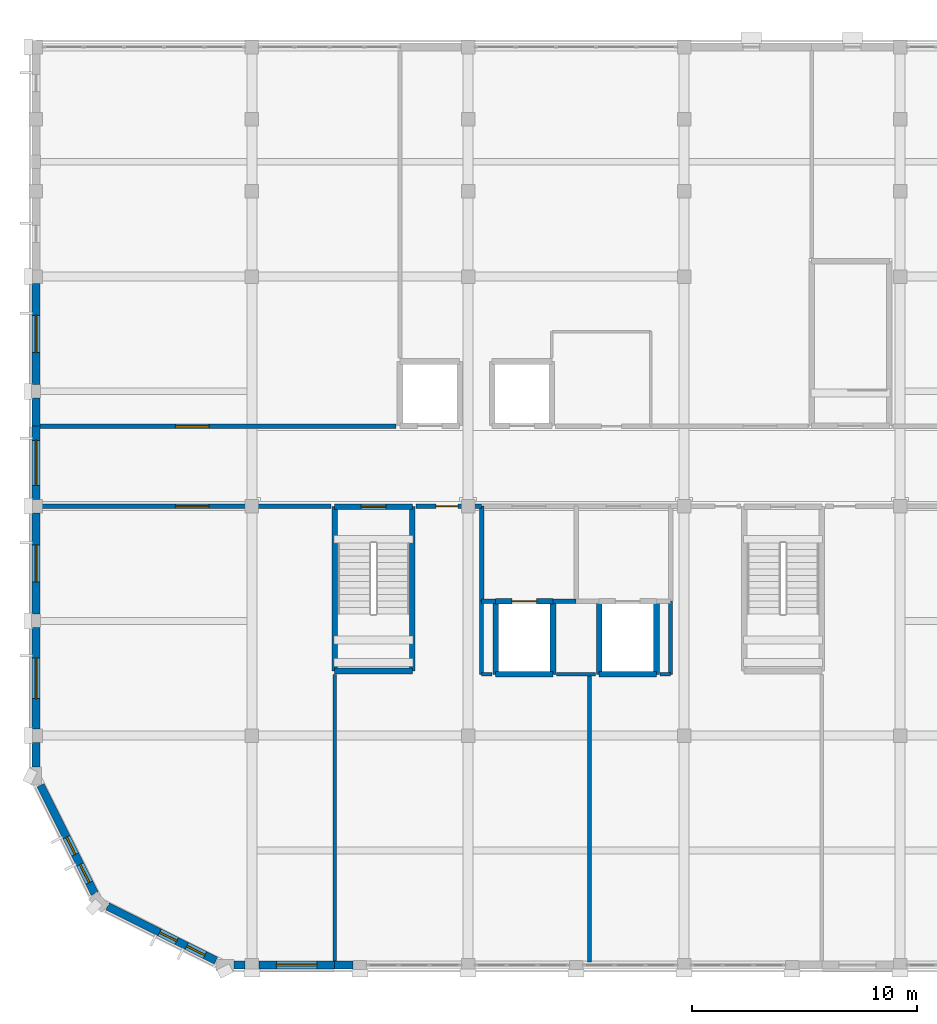
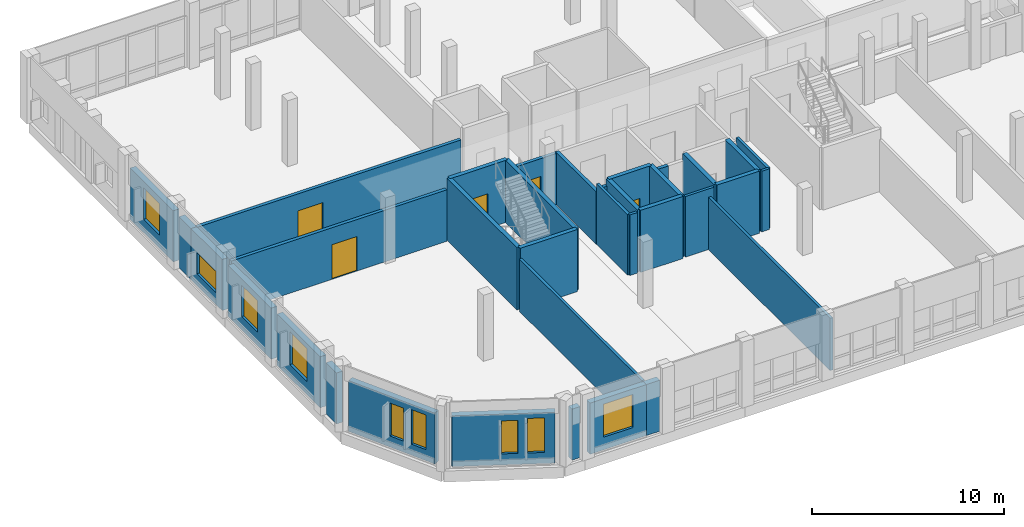
# One storey, part 79 of 93: 35 walls, 9 windows, 5 doors, 14 openings.
"""IFC4 building model written with IfcOpenShell, lengths in metres."""

from ifc_helpers import new_model, si_unit, direction, frame, frame_2d, origin, place, context, subcontext, project, spatial, rectangle, extrude, material, layer, layer_set, type_object, element, fill, save


model = new_model("IFC4")

# Units and contexts
model_context = context("Model", 3, precision=1e-05, world=origin(), true_north=direction((0.0, 1.0)))
body_context = subcontext(model_context, "Body", "Model", "MODEL_VIEW")
ifc_project = project(units=[si_unit("LENGTHUNIT", "METRE"), si_unit("AREAUNIT", "SQUARE_METRE"), si_unit("VOLUMEUNIT", "CUBIC_METRE"), si_unit("PLANEANGLEUNIT", "RADIAN"), si_unit("MASSUNIT", "GRAM", prefix="KILO")], contexts=[model_context])

# Site, building, storey
site_placement = place(None, origin())
site = spatial("IfcSite", under=ifc_project, at=site_placement, CompositionType="ELEMENT")
building_placement = place(site_placement, origin())
building = spatial("IfcBuilding", under=site, at=building_placement, Name="Vondelvale Polytechnic", CompositionType="ELEMENT")
storey_placement = place(building_placement, frame((0.0, 0.0, 18.0)))
storey = spatial("IfcBuildingStorey", under=building, at=storey_placement, Name="L04", CompositionType="ELEMENT", Elevation=18.0)

# Wall, openings, windows
ifc_material_1 = material(Name="Amsterdam School iron-spot clinker clay brickwork", Category="masonry")
ifc_layer_1 = layer(ifc_material_1, 0.35009765625)
ifc_layer_set_1 = layer_set([ifc_layer_1], Name="WL-BRICK-350")
wall_type_1 = type_object("IfcWallType", Name="WL-BRICK-350", PredefinedType="SOLIDWALL", material=ifc_layer_set_1)
wall_1_placement = place(storey_placement, frame((7.9990234375, 0.200439453125, 0.0), z_axis=(0.0, 0.0, 1.0), x_axis=(-0.894418132042, 0.447231712958, 0.0)))
wall_1 = element("IfcWall", 1, at=wall_1_placement, inside=storey, type_object=wall_type_1, Name="L04 exterior masonry facade wall", PredefinedType="SOLIDWALL", context=body_context, shape_type="SweptSolid", body=[
    extrude(rectangle(XDim=5.39013671875, YDim=0.35009765625, at=frame_2d((2.695068359375, 0.0))), origin(), (0.0, 0.0, 1.0), 3.22998046875),
])
opening_1_placement = place(wall_1_placement, frame((0.550048828125, 0.0, 0.699951171875)))
opening_1 = element("IfcOpeningElement", 2, at=opening_1_placement, cuts=wall_1, Name="Opening WN-0231", PredefinedType="OPENING", context=body_context, shape_type="SweptSolid", body=[
    extrude(rectangle(XDim=0.89990234375, YDim=2.199951171875, at=frame_2d((0.449951171875, 1.10009765625))), frame((0.0, 0.18505859375, 0.0), z_axis=(0.0, -1.0, 0.0), x_axis=(1.0, 0.0, 0.0)), (0.0, 0.0, 1.0), 0.3701171875),
])
opening_2_placement = place(wall_1_placement, frame((1.949951171875, 0.0, 0.699951171875)))
opening_2 = element("IfcOpeningElement", 3, at=opening_2_placement, cuts=wall_1, Name="Opening WN-0232", PredefinedType="OPENING", context=body_context, shape_type="SweptSolid", body=[
    extrude(rectangle(XDim=0.85009765625, YDim=2.10009765625, at=frame_2d((0.425048828125, 1.050048828125))), frame((0.0, 0.18505859375, 0.0), z_axis=(0.0, -1.0, 0.0), x_axis=(1.0, 0.0, 0.0)), (0.0, 0.0, 1.0), 0.3701171875),
])
ifc_material_2 = material(Name="Double-glazed low-E insulated architectural glass", Category="glass")
window_type_1 = type_object("IfcWindowType", Name="WN-TUR-0850x2100", PartitioningType="SINGLE_PANEL", PredefinedType="WINDOW", material=ifc_material_2)
window_1_placement = place(opening_2_placement, origin())
window_1 = element("IfcWindow", 4, at=window_1_placement, inside=storey, type_object=window_type_1, Name="L04 double-glazed architectural window WN-0232", OverallHeight=2.10009765625, OverallWidth=0.85009765625, PartitioningType="SINGLE_PANEL", PredefinedType="WINDOW", context=body_context, shape_type="SweptSolid", body=[
    extrude(rectangle(XDim=0.85009765625, YDim=2.10009765625, at=frame_2d((0.425048828125, 1.050048828125))), frame((0.0, 0.030029296875, 0.0), z_axis=(0.0, -1.0, 0.0), x_axis=(1.0, 0.0, 0.0)), (0.0, 0.0, 1.0), 0.06005859375),
])
fill(opening_2, window_1)
window_type_2 = type_object("IfcWindowType", Name="WN-TUR-0900x2200", PartitioningType="SINGLE_PANEL", PredefinedType="WINDOW", material=ifc_material_2)
window_2_placement = place(opening_1_placement, origin())
window_2 = element("IfcWindow", 5, at=window_2_placement, inside=storey, type_object=window_type_2, Name="L04 double-glazed architectural window WN-0231", OverallHeight=2.199951171875, OverallWidth=0.89990234375, PartitioningType="SINGLE_PANEL", PredefinedType="WINDOW", context=body_context, shape_type="SweptSolid", body=[
    extrude(rectangle(XDim=0.89990234375, YDim=2.199951171875, at=frame_2d((0.449951171875, 1.10009765625))), frame((0.0, 0.030029296875, 0.0), z_axis=(0.0, -1.0, 0.0), x_axis=(1.0, 0.0, 0.0)), (0.0, 0.0, 1.0), 0.06005859375),
])
fill(opening_1, window_2)

wall_2_placement = place(storey_placement, frame((2.611083984375, 3.177978515625, 0.0), z_axis=(0.0, 0.0, 1.0), x_axis=(-0.447231712958, 0.894418132042, 0.0)))
wall_2 = element("IfcWall", 6, at=wall_2_placement, inside=storey, type_object=wall_type_1, Name="L04 exterior masonry facade wall", PredefinedType="SOLIDWALL", context=body_context, shape_type="SweptSolid", body=[
    extrude(rectangle(XDim=5.39013671875, YDim=0.35009765625, at=frame_2d((2.695068359375, 0.0))), origin(), (0.0, 0.0, 1.0), 3.22998046875),
])
opening_3_placement = place(wall_2_placement, frame((0.550048828125, 0.0, 0.699951171875)))
opening_3 = element("IfcOpeningElement", 7, at=opening_3_placement, cuts=wall_2, Name="Opening WN-0233", PredefinedType="OPENING", context=body_context, shape_type="SweptSolid", body=[
    extrude(rectangle(XDim=0.89990234375, YDim=2.199951171875, at=frame_2d((0.449951171875, 1.10009765625))), frame((0.0, 0.18505859375, 0.0), z_axis=(0.0, -1.0, 0.0), x_axis=(1.0, 0.0, 0.0)), (0.0, 0.0, 1.0), 0.3701171875),
])
opening_4_placement = place(wall_2_placement, frame((1.949951171875, 0.0, 0.699951171875)))
opening_4 = element("IfcOpeningElement", 8, at=opening_4_placement, cuts=wall_2, Name="Opening WN-0234", PredefinedType="OPENING", context=body_context, shape_type="SweptSolid", body=[
    extrude(rectangle(XDim=0.85009765625, YDim=2.10009765625, at=frame_2d((0.425048828125, 1.050048828125))), frame((0.0, 0.18505859375, 0.0), z_axis=(0.0, -1.0, 0.0), x_axis=(1.0, 0.0, 0.0)), (0.0, 0.0, 1.0), 0.3701171875),
])
window_3_placement = place(opening_4_placement, origin())
window_3 = element("IfcWindow", 9, at=window_3_placement, inside=storey, type_object=window_type_1, Name="L04 double-glazed architectural window WN-0234", OverallHeight=2.10009765625, OverallWidth=0.85009765625, PartitioningType="SINGLE_PANEL", PredefinedType="WINDOW", context=body_context, shape_type="SweptSolid", body=[
    extrude(rectangle(XDim=0.85009765625, YDim=2.10009765625, at=frame_2d((0.425048828125, 1.050048828125))), frame((0.0, 0.030029296875, 0.0), z_axis=(0.0, -1.0, 0.0), x_axis=(1.0, 0.0, 0.0)), (0.0, 0.0, 1.0), 0.06005859375),
])
fill(opening_4, window_3)
window_4_placement = place(opening_3_placement, origin())
window_4 = element("IfcWindow", 10, at=window_4_placement, inside=storey, type_object=window_type_2, Name="L04 double-glazed architectural window WN-0233", OverallHeight=2.199951171875, OverallWidth=0.89990234375, PartitioningType="SINGLE_PANEL", PredefinedType="WINDOW", context=body_context, shape_type="SweptSolid", body=[
    extrude(rectangle(XDim=0.89990234375, YDim=2.199951171875, at=frame_2d((0.449951171875, 1.10009765625))), frame((0.0, 0.030029296875, 0.0), z_axis=(0.0, -1.0, 0.0), x_axis=(1.0, 0.0, 0.0)), (0.0, 0.0, 1.0), 0.06005859375),
])
fill(opening_3, window_4)

# Wall
wall_3_placement = place(storey_placement, frame((9.299072265625, 0.0, 0.0), z_axis=(0.0, 0.0, 1.0), x_axis=(-1.0, 0.0, 0.0)))
element("IfcWall", 11, at=wall_3_placement, inside=storey, type_object=wall_type_1, Name="L04 exterior masonry facade wall", PredefinedType="SOLIDWALL", context=body_context, shape_type="SweptSolid", body=[
    extrude(rectangle(XDim=0.498046875, YDim=0.35009765625, at=frame_2d((0.2490234375, 0.0))), origin(), (0.0, 0.0, 1.0), 3.25),
])

# Wall, opening, window
wall_4_placement = place(storey_placement, frame((13.27490234375, 0.0, 0.0), z_axis=(0.0, 0.0, 1.0), x_axis=(-1.0, 0.0, 0.0)))
wall_4 = element("IfcWall", 12, at=wall_4_placement, inside=storey, type_object=wall_type_1, Name="L04 exterior masonry facade wall", PredefinedType="SOLIDWALL", context=body_context, shape_type="SweptSolid", body=[
    extrude(rectangle(XDim=3.3740234375, YDim=0.35009765625, at=frame_2d((1.68701171875, 0.0))), origin(), (0.0, 0.0, 1.0), 3.25),
])
opening_5_placement = place(wall_4_placement, frame((0.787109375, 0.0, 0.800048828125)))
opening_5 = element("IfcOpeningElement", 13, at=opening_5_placement, cuts=wall_4, Name="Opening WN-0235", PredefinedType="OPENING", context=body_context, shape_type="SweptSolid", body=[
    extrude(rectangle(XDim=1.800048828125, YDim=2.10009765625, at=frame_2d((0.89990234375, 1.050048828125))), frame((0.0, 0.18505859375, 0.0), z_axis=(0.0, -1.0, 0.0), x_axis=(1.0, 0.0, 0.0)), (0.0, 0.0, 1.0), 0.3701171875),
])
window_type_3 = type_object("IfcWindowType", Name="WN-LAB-1800x2100", PartitioningType="SINGLE_PANEL", PredefinedType="WINDOW", material=ifc_material_2)
window_5_placement = place(opening_5_placement, origin())
window_5 = element("IfcWindow", 14, at=window_5_placement, inside=storey, type_object=window_type_3, Name="L04 double-glazed architectural window WN-0235", OverallHeight=2.10009765625, OverallWidth=1.800048828125, PartitioningType="SINGLE_PANEL", PredefinedType="WINDOW", context=body_context, shape_type="SweptSolid", body=[
    extrude(rectangle(XDim=1.800048828125, YDim=2.10009765625, at=frame_2d((0.89990234375, 1.050048828125))), frame((0.0, 0.030029296875, 0.0), z_axis=(0.0, -1.0, 0.0), x_axis=(1.0, 0.0, 0.0)), (0.0, 0.0, 1.0), 0.06005859375),
])
fill(opening_5, window_5)

# Walls
wall_5_placement = place(storey_placement, frame((14.09912109375, 0.0, 0.0), z_axis=(0.0, 0.0, 1.0), x_axis=(-1.0, 0.0, 0.0)))
element("IfcWall", 15, at=wall_5_placement, inside=storey, type_object=wall_type_1, Name="L04 exterior masonry facade wall", PredefinedType="SOLIDWALL", context=body_context, shape_type="SweptSolid", body=[
    extrude(rectangle(XDim=0.82421875, YDim=0.35009765625, at=frame_2d((0.412109375, 0.0))), origin(), (0.0, 0.0, 1.0), 3.25),
])
wall_6_placement = place(storey_placement, frame((0.0, 8.801025390625, 0.0), z_axis=(0.0, 0.0, 1.0), x_axis=(0.0, 1.0, 0.0)))
element("IfcWall", 16, at=wall_6_placement, inside=storey, type_object=wall_type_1, Name="L04 exterior masonry facade wall", PredefinedType="SOLIDWALL", context=body_context, shape_type="SweptSolid", body=[
    extrude(rectangle(XDim=1.097900390625, YDim=0.35009765625, at=frame_2d((0.548828125, 0.0))), origin(), (0.0, 0.0, 1.0), 3.25),
])

# Wall, opening, window
wall_7_placement = place(storey_placement, frame((0.0, 10.5009765625, 0.0), z_axis=(0.0, 0.0, 1.0), x_axis=(0.0, 1.0, 0.0)))
wall_7 = element("IfcWall", 17, at=wall_7_placement, inside=storey, type_object=wall_type_1, Name="L04 exterior masonry facade wall", PredefinedType="SOLIDWALL", context=body_context, shape_type="SweptSolid", body=[
    extrude(rectangle(XDim=4.498046875, YDim=0.35009765625, at=frame_2d((2.2490234375, 0.0))), origin(), (0.0, 0.0, 1.0), 3.25),
])
opening_6_placement = place(wall_7_placement, frame((1.34912109375, 0.0, 0.85009765625)))
opening_6 = element("IfcOpeningElement", 18, at=opening_6_placement, cuts=wall_7, Name="Opening WN-0237", PredefinedType="OPENING", context=body_context, shape_type="SweptSolid", body=[
    extrude(rectangle(XDim=1.800048828125, YDim=2.10009765625, at=frame_2d((0.89990234375, 1.050048828125))), frame((0.0, 0.18505859375, 0.0), z_axis=(0.0, -1.0, 0.0), x_axis=(1.0, 0.0, 0.0)), (0.0, 0.0, 1.0), 0.3701171875),
])
window_6_placement = place(opening_6_placement, origin())
window_6 = element("IfcWindow", 19, at=window_6_placement, inside=storey, type_object=window_type_3, Name="L04 double-glazed architectural window WN-0237", OverallHeight=2.10009765625, OverallWidth=1.800048828125, PartitioningType="SINGLE_PANEL", PredefinedType="WINDOW", context=body_context, shape_type="SweptSolid", body=[
    extrude(rectangle(XDim=1.800048828125, YDim=2.10009765625, at=frame_2d((0.89990234375, 1.050048828125))), frame((0.0, 0.030029296875, 0.0), z_axis=(0.0, -1.0, 0.0), x_axis=(1.0, 0.0, 0.0)), (0.0, 0.0, 1.0), 0.06005859375),
])
fill(opening_6, window_6)

wall_8_placement = place(storey_placement, frame((0.0, 15.60107421875, 0.0), z_axis=(0.0, 0.0, 1.0), x_axis=(0.0, 1.0, 0.0)))
wall_8 = element("IfcWall", 20, at=wall_8_placement, inside=storey, type_object=wall_type_1, Name="L04 exterior masonry facade wall", PredefinedType="SOLIDWALL", context=body_context, shape_type="SweptSolid", body=[
    extrude(rectangle(XDim=4.498046875, YDim=0.35009765625, at=frame_2d((2.2490234375, 0.0))), origin(), (0.0, 0.0, 1.0), 3.25),
])
opening_7_placement = place(wall_8_placement, frame((1.424072265625, 0.0, 0.85009765625)))
opening_7 = element("IfcOpeningElement", 21, at=opening_7_placement, cuts=wall_8, Name="Opening WN-0238", PredefinedType="OPENING", context=body_context, shape_type="SweptSolid", body=[
    extrude(rectangle(XDim=1.64990234375, YDim=2.0, at=frame_2d((0.824951171875, 1.0))), frame((0.0, 0.18505859375, 0.0), z_axis=(0.0, -1.0, 0.0), x_axis=(1.0, 0.0, 0.0)), (0.0, 0.0, 1.0), 0.3701171875),
])
window_type_4 = type_object("IfcWindowType", Name="WN-LAB-1650x2000", PartitioningType="SINGLE_PANEL", PredefinedType="WINDOW", material=ifc_material_2)
window_7_placement = place(opening_7_placement, origin())
window_7 = element("IfcWindow", 22, at=window_7_placement, inside=storey, type_object=window_type_4, Name="L04 double-glazed architectural window WN-0238", OverallHeight=2.0, OverallWidth=1.64990234375, PartitioningType="SINGLE_PANEL", PredefinedType="WINDOW", context=body_context, shape_type="SweptSolid", body=[
    extrude(rectangle(XDim=1.64990234375, YDim=2.0, at=frame_2d((0.824951171875, 1.0))), frame((0.0, 0.030029296875, 0.0), z_axis=(0.0, -1.0, 0.0), x_axis=(1.0, 0.0, 0.0)), (0.0, 0.0, 1.0), 0.06005859375),
])
fill(opening_7, window_7)

wall_9_placement = place(storey_placement, frame((0.0, 20.700927734375, 0.0), z_axis=(0.0, 0.0, 1.0), x_axis=(0.0, 1.0, 0.0)))
wall_9 = element("IfcWall", 23, at=wall_9_placement, inside=storey, type_object=wall_type_1, Name="L04 exterior masonry facade wall", PredefinedType="SOLIDWALL", context=body_context, shape_type="SweptSolid", body=[
    extrude(rectangle(XDim=3.2490234375, YDim=0.35009765625, at=frame_2d((1.62451171875, 0.0))), origin(), (0.0, 0.0, 1.0), 3.25),
])
opening_8_placement = place(wall_9_placement, frame((0.62451171875, 0.0, 0.75)))
opening_8 = element("IfcOpeningElement", 24, at=opening_8_placement, cuts=wall_9, Name="Opening WN-0239", PredefinedType="OPENING", context=body_context, shape_type="SweptSolid", body=[
    extrude(rectangle(XDim=2.0, YDim=1.35009765625, at=frame_2d((1.0, 0.675048828125))), frame((0.0, 0.18505859375, 0.0), z_axis=(0.0, -1.0, 0.0), x_axis=(1.0, 0.0, 0.0)), (0.0, 0.0, 1.0), 0.3701171875),
])
window_type_5 = type_object("IfcWindowType", Name="WN-RIB-2000x1350", PartitioningType="SINGLE_PANEL", PredefinedType="WINDOW", material=ifc_material_2)
window_8_placement = place(opening_8_placement, origin())
window_8 = element("IfcWindow", 25, at=window_8_placement, inside=storey, type_object=window_type_5, Name="L04 double-glazed architectural window WN-0239", OverallHeight=1.35009765625, OverallWidth=2.0, PartitioningType="SINGLE_PANEL", PredefinedType="WINDOW", context=body_context, shape_type="SweptSolid", body=[
    extrude(rectangle(XDim=2.0, YDim=1.35009765625, at=frame_2d((1.0, 0.675048828125))), frame((0.0, 0.030029296875, 0.0), z_axis=(0.0, -1.0, 0.0), x_axis=(1.0, 0.0, 0.0)), (0.0, 0.0, 1.0), 0.06005859375),
])
fill(opening_8, window_8)

# Wall
wall_10_placement = place(storey_placement, frame((0.0, 23.949951171875, 0.0), z_axis=(0.0, 0.0, 1.0), x_axis=(0.0, 1.0, 0.0)))
element("IfcWall", 26, at=wall_10_placement, inside=storey, type_object=wall_type_1, Name="L04 exterior masonry facade wall", PredefinedType="SOLIDWALL", context=body_context, shape_type="SweptSolid", body=[
    extrude(rectangle(XDim=1.2490234375, YDim=0.35009765625, at=frame_2d((0.62451171875, 0.0))), origin(), (0.0, 0.0, 1.0), 3.25),
])

# Wall, opening, window
wall_11_placement = place(storey_placement, frame((0.0, 25.801025390625, 0.0), z_axis=(0.0, 0.0, 1.0), x_axis=(0.0, 1.0, 0.0)))
wall_11 = element("IfcWall", 27, at=wall_11_placement, inside=storey, type_object=wall_type_1, Name="L04 exterior masonry facade wall", PredefinedType="SOLIDWALL", context=body_context, shape_type="SweptSolid", body=[
    extrude(rectangle(XDim=4.498046875, YDim=0.35009765625, at=frame_2d((2.2490234375, 0.0))), origin(), (0.0, 0.0, 1.0), 3.25),
])
opening_9_placement = place(wall_11_placement, frame((1.424072265625, 0.0, 0.85009765625)))
opening_9 = element("IfcOpeningElement", 28, at=opening_9_placement, cuts=wall_11, Name="Opening WN-0240", PredefinedType="OPENING", context=body_context, shape_type="SweptSolid", body=[
    extrude(rectangle(XDim=1.64990234375, YDim=2.0, at=frame_2d((0.824951171875, 1.0))), frame((0.0, 0.18505859375, 0.0), z_axis=(0.0, -1.0, 0.0), x_axis=(1.0, 0.0, 0.0)), (0.0, 0.0, 1.0), 0.3701171875),
])
window_9_placement = place(opening_9_placement, origin())
window_9 = element("IfcWindow", 29, at=window_9_placement, inside=storey, type_object=window_type_4, Name="L04 double-glazed architectural window WN-0240", OverallHeight=2.0, OverallWidth=1.64990234375, PartitioningType="SINGLE_PANEL", PredefinedType="WINDOW", context=body_context, shape_type="SweptSolid", body=[
    extrude(rectangle(XDim=1.64990234375, YDim=2.0, at=frame_2d((0.824951171875, 1.0))), frame((0.0, 0.030029296875, 0.0), z_axis=(0.0, -1.0, 0.0), x_axis=(1.0, 0.0, 0.0)), (0.0, 0.0, 1.0), 0.06005859375),
])
fill(opening_9, window_9)

# Walls
ifc_material_3 = material(Name="Concrete N40 (f'c = 40 MPa)", Category="concrete")
ifc_layer_2 = layer(ifc_material_3, 0.25)
ifc_layer_set_2 = layer_set([ifc_layer_2], Name="WL-CORE-250")
wall_type_2 = type_object("IfcWallType", Name="WL-CORE-250", PredefinedType="SOLIDWALL", material=ifc_layer_set_2)
wall_12_placement = place(storey_placement, frame((13.27490234375, 20.375, 0.0), z_axis=(0.0, 0.0, 1.0), x_axis=(0.0, -1.0, 0.0)))
element("IfcWall", 30, at=wall_12_placement, inside=storey, type_object=wall_type_2, Name="L04 ST-03 reinforced concrete stair core wall", PredefinedType="SOLIDWALL", context=body_context, shape_type="SweptSolid", body=[
    extrude(rectangle(XDim=7.300048828125, YDim=0.25, at=frame_2d((3.64990234375, 0.0))), origin(), (0.0, 0.0, 1.0), 3.949951171875),
])
wall_13_placement = place(storey_placement, frame((13.27490234375, 13.074951171875, 0.0), z_axis=(0.0, 0.0, 1.0), x_axis=(1.0, 0.0, 0.0)))
element("IfcWall", 31, at=wall_13_placement, inside=storey, type_object=wall_type_2, Name="L04 ST-03 reinforced concrete stair core wall", PredefinedType="SOLIDWALL", context=body_context, shape_type="SweptSolid", body=[
    extrude(rectangle(XDim=3.4501953125, YDim=0.25, at=frame_2d((1.72509765625, 0.0))), origin(), (0.0, 0.0, 1.0), 3.949951171875),
])
wall_14_placement = place(storey_placement, frame((16.72509765625, 13.074951171875, 0.0), z_axis=(0.0, 0.0, 1.0), x_axis=(0.0, 1.0, 0.0)))
element("IfcWall", 32, at=wall_14_placement, inside=storey, type_object=wall_type_2, Name="L04 ST-03 reinforced concrete stair core wall", PredefinedType="SOLIDWALL", context=body_context, shape_type="SweptSolid", body=[
    extrude(rectangle(XDim=7.300048828125, YDim=0.25, at=frame_2d((3.64990234375, 0.0))), origin(), (0.0, 0.0, 1.0), 3.949951171875),
])

# Wall, opening, door
wall_15_placement = place(storey_placement, frame((16.72509765625, 20.375, 0.0), z_axis=(0.0, 0.0, 1.0), x_axis=(-1.0, 0.0, 0.0)))
wall_15 = element("IfcWall", 33, at=wall_15_placement, inside=storey, type_object=wall_type_2, Name="L04 ST-03 reinforced concrete stair core wall", PredefinedType="SOLIDWALL", context=body_context, shape_type="SweptSolid", body=[
    extrude(rectangle(XDim=3.4501953125, YDim=0.25, at=frame_2d((1.72509765625, 0.0))), origin(), (0.0, 0.0, 1.0), 3.949951171875),
])
opening_10_placement = place(wall_15_placement, frame((1.175048828125, 0.0, 0.0)))
opening_10 = element("IfcOpeningElement", 34, at=opening_10_placement, cuts=wall_15, Name="Opening SD-014", PredefinedType="OPENING", context=body_context, shape_type="SweptSolid", body=[
    extrude(rectangle(XDim=1.10009765625, YDim=2.199951171875, at=frame_2d((0.550048828125, 1.10009765625))), frame((0.0, 0.135009765625, 0.0), z_axis=(0.0, -1.0, 0.0), x_axis=(1.0, 0.0, 0.0)), (0.0, 0.0, 1.0), 0.27001953125),
])
ifc_material_4 = material(Name="Brushed architectural stainless and zinc-coated metal")
door_type_1 = type_object("IfcDoorType", Name="DR-STAIR-1100x2200", OperationType="SINGLE_SWING_LEFT", PredefinedType="DOOR", material=ifc_material_4)
door_1_placement = place(opening_10_placement, origin())
door_1 = element("IfcDoor", 35, at=door_1_placement, inside=storey, type_object=door_type_1, Name="L04 ST-03 fire-isolated stair door", OperationType="SINGLE_SWING_RIGHT", OverallHeight=2.199951171875, OverallWidth=1.10009765625, PredefinedType="DOOR", context=body_context, shape_type="SweptSolid", body=[
    extrude(rectangle(XDim=1.10009765625, YDim=2.199951171875, at=frame_2d((0.550048828125, 1.10009765625))), frame((0.0, 0.02490234375, 0.0), z_axis=(0.0, -1.0, 0.0), x_axis=(1.0, 0.0, 0.0)), (0.0, 0.0, 1.0), 0.050048828125),
])
fill(opening_10, door_1)

# Walls
ifc_material_5 = material(Name="Fire-rated double-layer plasterboard stud partition")
ifc_layer_3 = layer(ifc_material_5, 0.199951171875)
ifc_layer_set_3 = layer_set([ifc_layer_3], Name="WL-CORR-200")
wall_type_3 = type_object("IfcWallType", Name="WL-CORR-200", PredefinedType="PARTITIONING", material=ifc_layer_set_3)
wall_16_placement = place(storey_placement, frame((19.800048828125, 16.175048828125, 0.0), z_axis=(0.0, 0.0, 1.0), x_axis=(0.0, 1.0, 0.0)))
element("IfcWall", 36, at=wall_16_placement, inside=storey, type_object=wall_type_3, Name="L04 EL-01 fire-isolated lift lobby wall", PredefinedType="PARTITIONING", context=body_context, shape_type="SweptSolid", body=[
    extrude(rectangle(XDim=4.224853515625, YDim=0.199951171875, at=frame_2d((2.1123046875, 0.0))), origin(), (0.0, 0.0, 1.0), 3.330078125),
])
wall_17_placement = place(storey_placement, frame((19.800048828125, 16.175048828125, 0.0), z_axis=(0.0, 0.0, 1.0), x_axis=(1.0, 0.0, 0.0)))
element("IfcWall", 37, at=wall_17_placement, inside=storey, type_object=wall_type_3, Name="L04 EL-01 fire-isolated lift lobby wall", PredefinedType="PARTITIONING", context=body_context, shape_type="SweptSolid", body=[
    extrude(rectangle(XDim=0.625, YDim=0.199951171875, at=frame_2d((0.3125, 0.0))), origin(), (0.0, 0.0, 1.0), 3.550048828125),
])
wall_18_placement = place(storey_placement, frame((22.97509765625, 16.175048828125, 0.0), z_axis=(0.0, 0.0, 1.0), x_axis=(1.0, 0.0, 0.0)))
element("IfcWall", 38, at=wall_18_placement, inside=storey, type_object=wall_type_3, Name="L04 EL-01 fire-isolated lift lobby wall", PredefinedType="PARTITIONING", context=body_context, shape_type="SweptSolid", body=[
    extrude(rectangle(XDim=1.02490234375, YDim=0.199951171875, at=frame_2d((0.512451171875, 0.0))), origin(), (0.0, 0.0, 1.0), 3.550048828125),
])

# Wall, opening, door
wall_19_placement = place(storey_placement, frame((0.14990234375, 20.39990234375, 0.0), z_axis=(0.0, 0.0, 1.0), x_axis=(1.0, 0.0, 0.0)))
wall_19 = element("IfcWall", 39, at=wall_19_placement, inside=storey, type_object=wall_type_3, Name="L04 interior acoustic partition", PredefinedType="PARTITIONING", context=body_context, shape_type="SweptSolid", body=[
    extrude(rectangle(XDim=12.960205078125, YDim=0.199951171875, at=frame_2d((6.47998046875, 0.0))), origin(), (0.0, 0.0, 1.0), 3.280029296875),
])
opening_11_placement = place(wall_19_placement, frame((6.050048828125, 0.0, 0.0)))
opening_11 = element("IfcOpeningElement", 40, at=opening_11_placement, cuts=wall_19, Name="Opening ID-0177", PredefinedType="OPENING", context=body_context, shape_type="SweptSolid", body=[
    extrude(rectangle(XDim=1.5, YDim=2.199951171875, at=frame_2d((0.75, 1.10009765625))), frame((0.0, 0.10986328125, 0.0), z_axis=(0.0, -1.0, 0.0), x_axis=(1.0, 0.0, 0.0)), (0.0, 0.0, 1.0), 0.219970703125),
])
ifc_material_6 = material(Name="Fire-rated solid Tasmanian oak joinery")
door_type_2 = type_object("IfcDoorType", Name="DR-LAB-1500x2200", OperationType="DOUBLE_DOOR_SINGLE_SWING", PredefinedType="DOOR", material=ifc_material_6)
door_2_placement = place(opening_11_placement, origin())
door_2 = element("IfcDoor", 41, at=door_2_placement, inside=storey, type_object=door_type_2, Name="L04 interior room door ID-0177", OperationType="DOUBLE_DOOR_SINGLE_SWING", OverallHeight=2.199951171875, OverallWidth=1.5, PredefinedType="DOOR", context=body_context, shape_type="SweptSolid", body=[
    extrude(rectangle(XDim=1.5, YDim=2.199951171875, at=frame_2d((0.75, 1.10009765625))), frame((0.0, 0.02490234375, 0.0), z_axis=(0.0, -1.0, 0.0), x_axis=(1.0, 0.0, 0.0)), (0.0, 0.0, 1.0), 0.050048828125),
])
fill(opening_11, door_2)

wall_20_placement = place(storey_placement, frame((16.889892578125, 20.39990234375, 0.0), z_axis=(0.0, 0.0, 1.0), x_axis=(1.0, 0.0, 0.0)))
wall_20 = element("IfcWall", 42, at=wall_20_placement, inside=storey, type_object=wall_type_3, Name="L04 interior acoustic partition", PredefinedType="PARTITIONING", context=body_context, shape_type="SweptSolid", body=[
    extrude(rectangle(XDim=2.91015625, YDim=0.199951171875, at=frame_2d((1.455078125, 0.0))), origin(), (0.0, 0.0, 1.0), 3.280029296875),
])
opening_12_placement = place(wall_20_placement, frame((0.885009765625, 0.0, 0.0)))
opening_12 = element("IfcOpeningElement", 43, at=opening_12_placement, cuts=wall_20, Name="Opening ID-0178", PredefinedType="OPENING", context=body_context, shape_type="SweptSolid", body=[
    extrude(rectangle(XDim=0.97998046875, YDim=2.14990234375, at=frame_2d((0.489990234375, 1.074951171875))), frame((0.0, 0.10986328125, 0.0), z_axis=(0.0, -1.0, 0.0), x_axis=(1.0, 0.0, 0.0)), (0.0, 0.0, 1.0), 0.219970703125),
])
door_type_3 = type_object("IfcDoorType", Name="DR-INT-0980x2150", OperationType="SINGLE_SWING_RIGHT", PredefinedType="DOOR", material=ifc_material_6)
door_3_placement = place(opening_12_placement, origin())
door_3 = element("IfcDoor", 44, at=door_3_placement, inside=storey, type_object=door_type_3, Name="L04 interior room door ID-0178", OperationType="SINGLE_SWING_RIGHT", OverallHeight=2.14990234375, OverallWidth=0.97998046875, PredefinedType="DOOR", context=body_context, shape_type="SweptSolid", body=[
    extrude(rectangle(XDim=0.97998046875, YDim=2.14990234375, at=frame_2d((0.489990234375, 1.074951171875))), frame((0.0, 0.02490234375, 0.0), z_axis=(0.0, -1.0, 0.0), x_axis=(1.0, 0.0, 0.0)), (0.0, 0.0, 1.0), 0.050048828125),
])
fill(opening_12, door_3)

wall_21_placement = place(storey_placement, frame((0.14990234375, 23.949951171875, 0.0), z_axis=(0.0, 0.0, 1.0), x_axis=(1.0, 0.0, 0.0)))
wall_21 = element("IfcWall", 45, at=wall_21_placement, inside=storey, type_object=wall_type_3, Name="L04 interior acoustic partition", PredefinedType="PARTITIONING", context=body_context, shape_type="SweptSolid", body=[
    extrude(rectangle(XDim=15.860107421875, YDim=0.199951171875, at=frame_2d((7.93017578125, 0.0))), origin(), (0.0, 0.0, 1.0), 3.280029296875),
])
opening_13_placement = place(wall_21_placement, frame((6.050048828125, 0.0, 0.0)))
opening_13 = element("IfcOpeningElement", 46, at=opening_13_placement, cuts=wall_21, Name="Opening ID-0183", PredefinedType="OPENING", context=body_context, shape_type="SweptSolid", body=[
    extrude(rectangle(XDim=1.5, YDim=2.199951171875, at=frame_2d((0.75, 1.10009765625))), frame((0.0, 0.10986328125, 0.0), z_axis=(0.0, -1.0, 0.0), x_axis=(1.0, 0.0, 0.0)), (0.0, 0.0, 1.0), 0.219970703125),
])
door_4_placement = place(opening_13_placement, origin())
door_4 = element("IfcDoor", 47, at=door_4_placement, inside=storey, type_object=door_type_2, Name="L04 interior room door ID-0183", OperationType="DOUBLE_DOOR_SINGLE_SWING", OverallHeight=2.199951171875, OverallWidth=1.5, PredefinedType="DOOR", context=body_context, shape_type="SweptSolid", body=[
    extrude(rectangle(XDim=1.5, YDim=2.199951171875, at=frame_2d((0.75, 1.10009765625))), frame((0.0, 0.02490234375, 0.0), z_axis=(0.0, -1.0, 0.0), x_axis=(1.0, 0.0, 0.0)), (0.0, 0.0, 1.0), 0.050048828125),
])
fill(opening_13, door_4)

# Walls
ifc_layer_4 = layer(ifc_material_5, 0.1650390625)
ifc_layer_set_4 = layer_set([ifc_layer_4], Name="WL-INT-165")
wall_type_4 = type_object("IfcWallType", Name="WL-INT-165", PredefinedType="PARTITIONING", material=ifc_layer_set_4)
wall_22_placement = place(storey_placement, frame((13.27490234375, 0.14990234375, 0.0), z_axis=(0.0, 0.0, 1.0), x_axis=(0.0, 1.0, 0.0)))
element("IfcWall", 48, at=wall_22_placement, inside=storey, type_object=wall_type_4, Name="L04 interior acoustic partition", PredefinedType="PARTITIONING", context=body_context, shape_type="SweptSolid", body=[
    extrude(rectangle(XDim=12.760009765625, YDim=0.1650390625, at=frame_2d((6.3798828125, 0.0))), origin(), (0.0, 0.0, 1.0), 3.330078125),
])
wall_23_placement = place(storey_placement, frame((19.800048828125, 12.925048828125, 0.0), z_axis=(0.0, 0.0, 1.0), x_axis=(1.0, 0.0, 0.0)))
element("IfcWall", 49, at=wall_23_placement, inside=storey, type_object=wall_type_4, Name="L04 interior acoustic partition", PredefinedType="PARTITIONING", context=body_context, shape_type="SweptSolid", body=[
    extrude(rectangle(XDim=0.4599609375, YDim=0.1650390625, at=frame_2d((0.22998046875, 0.0))), origin(), (0.0, 0.0, 1.0), 3.85009765625),
])
wall_24_placement = place(storey_placement, frame((23.139892578125, 12.925048828125, 0.0), z_axis=(0.0, 0.0, 1.0), x_axis=(1.0, 0.0, 0.0)))
element("IfcWall", 50, at=wall_24_placement, inside=storey, type_object=wall_type_4, Name="L04 interior acoustic partition", PredefinedType="PARTITIONING", context=body_context, shape_type="SweptSolid", body=[
    extrude(rectangle(XDim=1.72021484375, YDim=0.1650390625, at=frame_2d((0.860107421875, 0.0))), origin(), (0.0, 0.0, 1.0), 3.85009765625),
])
wall_25_placement = place(storey_placement, frame((27.739990234375, 12.925048828125, 0.0), z_axis=(0.0, 0.0, 1.0), x_axis=(1.0, 0.0, 0.0)))
element("IfcWall", 51, at=wall_25_placement, inside=storey, type_object=wall_type_4, Name="L04 interior acoustic partition", PredefinedType="PARTITIONING", context=body_context, shape_type="SweptSolid", body=[
    extrude(rectangle(XDim=0.4599609375, YDim=0.1650390625, at=frame_2d((0.22998046875, 0.0))), origin(), (0.0, 0.0, 1.0), 3.85009765625),
])
wall_26_placement = place(storey_placement, frame((19.800048828125, 12.925048828125, 0.0), z_axis=(0.0, 0.0, 1.0), x_axis=(0.0, 1.0, 0.0)))
element("IfcWall", 52, at=wall_26_placement, inside=storey, type_object=wall_type_4, Name="L04 interior acoustic partition", PredefinedType="PARTITIONING", context=body_context, shape_type="SweptSolid", body=[
    extrude(rectangle(XDim=3.25, YDim=0.1650390625, at=frame_2d((1.625, 0.0))), origin(), (0.0, 0.0, 1.0), 3.85009765625),
])
wall_27_placement = place(storey_placement, frame((24.60009765625, 0.14990234375, 0.0), z_axis=(0.0, 0.0, 1.0), x_axis=(0.0, 1.0, 0.0)))
element("IfcWall", 53, at=wall_27_placement, inside=storey, type_object=wall_type_4, Name="L04 interior acoustic partition", PredefinedType="PARTITIONING", context=body_context, shape_type="SweptSolid", body=[
    extrude(rectangle(XDim=12.775146484375, YDim=0.1650390625, at=frame_2d((6.3876953125, 0.0))), origin(), (0.0, 0.0, 1.0), 3.330078125),
])
wall_28_placement = place(storey_placement, frame((28.199951171875, 12.925048828125, 0.0), z_axis=(0.0, 0.0, 1.0), x_axis=(0.0, 1.0, 0.0)))
element("IfcWall", 54, at=wall_28_placement, inside=storey, type_object=wall_type_4, Name="L04 interior acoustic partition", PredefinedType="PARTITIONING", context=body_context, shape_type="SweptSolid", body=[
    extrude(rectangle(XDim=3.25, YDim=0.1650390625, at=frame_2d((1.625, 0.0))), origin(), (0.0, 0.0, 1.0), 3.85009765625),
])
ifc_layer_5 = layer(ifc_material_3, 0.25)
ifc_layer_set_5 = layer_set([ifc_layer_5], Name="WL-SHAFT-250")
wall_type_5 = type_object("IfcWallType", Name="WL-SHAFT-250", PredefinedType="SOLIDWALL", material=ifc_layer_set_5)
wall_29_placement = place(storey_placement, frame((20.425048828125, 12.925048828125, 0.0), z_axis=(0.0, 0.0, 1.0), x_axis=(1.0, 0.0, 0.0)))
element("IfcWall", 55, at=wall_29_placement, inside=storey, type_object=wall_type_5, Name="L04 EL-01 lift shaft wall S", PredefinedType="SOLIDWALL", context=body_context, shape_type="SweptSolid", body=[
    extrude(rectangle(XDim=2.550048828125, YDim=0.25, at=frame_2d((1.27490234375, 0.0))), origin(), (0.0, 0.0, 1.0), 3.949951171875),
])
wall_30_placement = place(storey_placement, frame((22.97509765625, 12.925048828125, 0.0), z_axis=(0.0, 0.0, 1.0), x_axis=(0.0, 1.0, 0.0)))
element("IfcWall", 56, at=wall_30_placement, inside=storey, type_object=wall_type_5, Name="L04 EL-01 lift shaft wall E", PredefinedType="SOLIDWALL", context=body_context, shape_type="SweptSolid", body=[
    extrude(rectangle(XDim=3.25, YDim=0.25, at=frame_2d((1.625, 0.0))), origin(), (0.0, 0.0, 1.0), 3.949951171875),
])

# Wall, opening, door
wall_31_placement = place(storey_placement, frame((22.97509765625, 16.175048828125, 0.0), z_axis=(0.0, 0.0, 1.0), x_axis=(-1.0, 0.0, 0.0)))
wall_31 = element("IfcWall", 57, at=wall_31_placement, inside=storey, type_object=wall_type_5, Name="L04 EL-01 lift shaft wall N", PredefinedType="SOLIDWALL", context=body_context, shape_type="SweptSolid", body=[
    extrude(rectangle(XDim=2.550048828125, YDim=0.25, at=frame_2d((1.27490234375, 0.0))), origin(), (0.0, 0.0, 1.0), 3.949951171875),
])
opening_14_placement = place(wall_31_placement, frame((0.72509765625, 0.0, 0.0)))
opening_14 = element("IfcOpeningElement", 58, at=opening_14_placement, cuts=wall_31, Name="Opening LD-006", PredefinedType="OPENING", context=body_context, shape_type="SweptSolid", body=[
    extrude(rectangle(XDim=1.10009765625, YDim=2.10009765625, at=frame_2d((0.550048828125, 1.050048828125))), frame((0.0, 0.135009765625, 0.0), z_axis=(0.0, -1.0, 0.0), x_axis=(1.0, 0.0, 0.0)), (0.0, 0.0, 1.0), 0.27001953125),
])
door_type_4 = type_object("IfcDoorType", Name="DR-LIFT-1100x2100", OperationType="SLIDING_TO_LEFT", PredefinedType="DOOR", material=ifc_material_4)
door_5_placement = place(opening_14_placement, origin())
door_5 = element("IfcDoor", 59, at=door_5_placement, inside=storey, type_object=door_type_4, Name="L04 EL-01 sliding lift landing door", OperationType="SLIDING_TO_LEFT", OverallHeight=2.10009765625, OverallWidth=1.10009765625, PredefinedType="DOOR", context=body_context, shape_type="SweptSolid", body=[
    extrude(rectangle(XDim=1.10009765625, YDim=2.10009765625, at=frame_2d((0.550048828125, 1.050048828125))), frame((0.0, 0.02490234375, 0.0), z_axis=(0.0, -1.0, 0.0), x_axis=(1.0, 0.0, 0.0)), (0.0, 0.0, 1.0), 0.050048828125),
])
fill(opening_14, door_5)

# Walls
wall_32_placement = place(storey_placement, frame((20.425048828125, 16.175048828125, 0.0), z_axis=(0.0, 0.0, 1.0), x_axis=(0.0, -1.0, 0.0)))
element("IfcWall", 60, at=wall_32_placement, inside=storey, type_object=wall_type_5, Name="L04 EL-01 lift shaft wall W", PredefinedType="SOLIDWALL", context=body_context, shape_type="SweptSolid", body=[
    extrude(rectangle(XDim=3.25, YDim=0.25, at=frame_2d((1.625, 0.0))), origin(), (0.0, 0.0, 1.0), 3.949951171875),
])
wall_33_placement = place(storey_placement, frame((25.02490234375, 12.925048828125, 0.0), z_axis=(0.0, 0.0, 1.0), x_axis=(1.0, 0.0, 0.0)))
element("IfcWall", 61, at=wall_33_placement, inside=storey, type_object=wall_type_5, Name="L04 EL-02 lift shaft wall S", PredefinedType="SOLIDWALL", context=body_context, shape_type="SweptSolid", body=[
    extrude(rectangle(XDim=2.550048828125, YDim=0.25, at=frame_2d((1.27490234375, 0.0))), origin(), (0.0, 0.0, 1.0), 3.949951171875),
])
for number, where, z_axis, x_axis, name in (
    (62, (27.574951171875, 12.925048828125, 0.0), (0.0, 0.0, 1.0), (0.0, 1.0, 0.0), "L04 EL-02 lift shaft wall E"),
    (63, (25.02490234375, 16.175048828125, 0.0), (0.0, 0.0, 1.0), (0.0, -1.0, 0.0), "L04 EL-02 lift shaft wall W"),
):
    element("IfcWall", number, at=place(storey_placement, frame(where, z_axis=z_axis, x_axis=x_axis)), inside=storey, type_object=wall_type_5, Name=name, PredefinedType="SOLIDWALL", context=body_context, shape_type="SweptSolid", body=[
        extrude(rectangle(XDim=3.25, YDim=0.25, at=frame_2d((1.625, 0.0))), origin(), (0.0, 0.0, 1.0), 3.949951171875),
    ])

save(model, "model.ifc")
